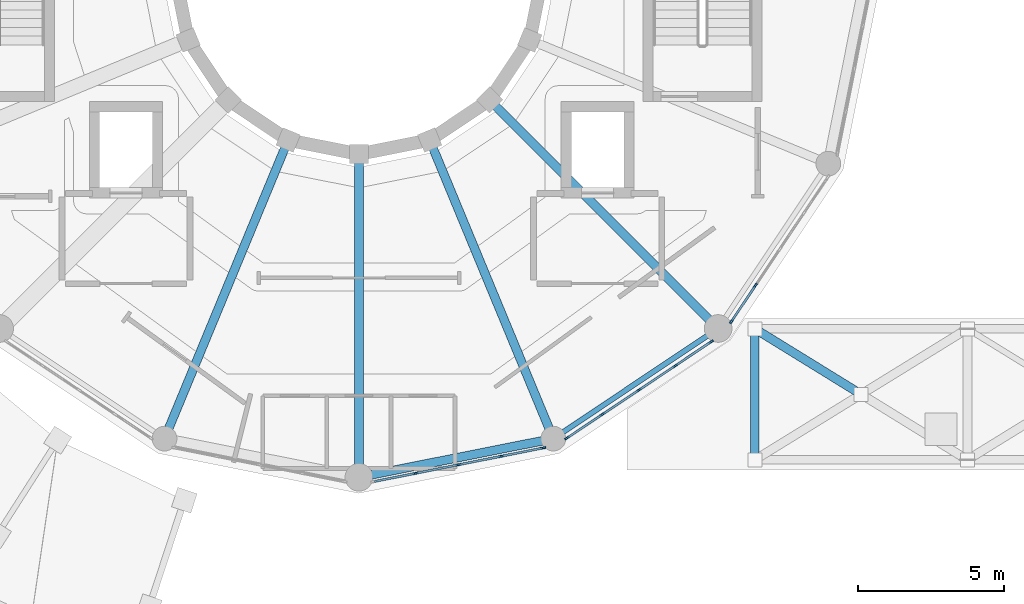
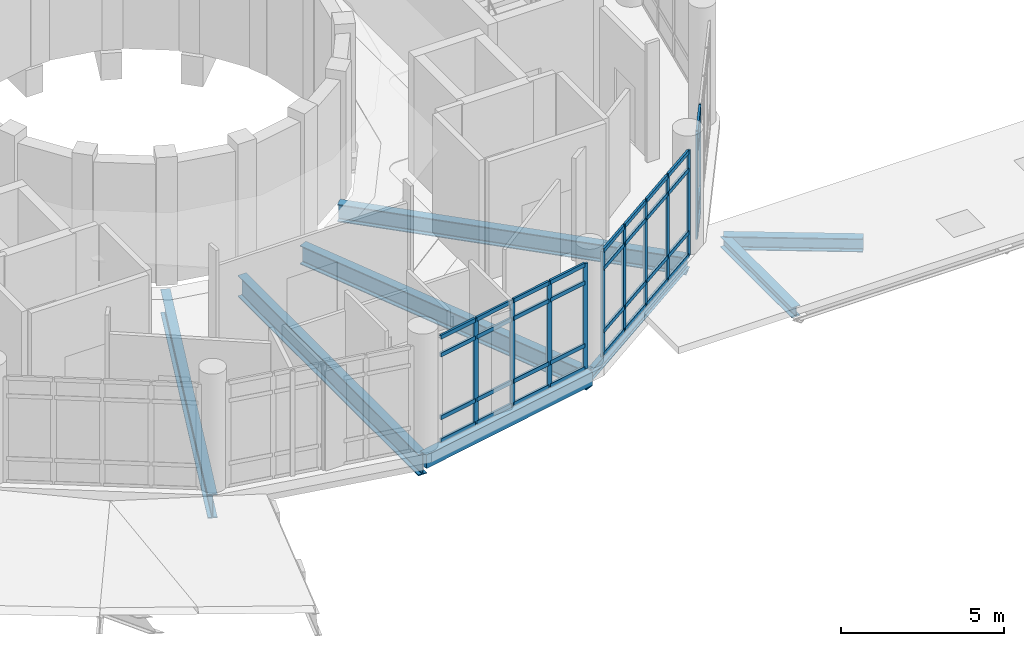
# One storey, part 9 of 75: 48 members, 7 beams, 3 elements without a shape of their own.
"""IFC4 building model written with IfcOpenShell, lengths in metres."""

import ifcopenshell
import ifcopenshell.guid

model = None  # the IFC model being written
_history = None  # IfcOwnerHistory: only IFC2X3 demands one
_inside = {}  # id of a spatial element -> (the spatial element, [elements in it])
_under = {}  # id of a project, library or spatial element -> (it, [spatial elements below it])
_declared = {}  # id of a project -> (the project, [libraries it declares])
_typed = {}  # id of a type object -> (the type object, [elements of that type])
_made_of = {}  # id of a material, layer set ... -> (it, [elements and type objects made of it])


def new_model(schema):
    """Start an empty IFC model of exactly this schema.

    Asked for "IFC4X3", IfcOpenShell would pick the latest addendum, in which some entities
    have other attributes; the version numbers below select the first issue.
    IFC2X3 requires an IfcOwnerHistory on every rooted entity: one is made here for all.
    """
    global model, _history
    if schema == "IFC4X3":
        model = ifcopenshell.file(schema_version=(4, 3, 0, 0))
    else:
        model = ifcopenshell.file(schema=schema)
    _inside.clear()
    _under.clear()
    _declared.clear()
    _typed.clear()
    _made_of.clear()
    _history = None
    if model.schema == "IFC2X3":
        org = make("IfcOrganization", Name="unknown")
        user = make(
            "IfcPersonAndOrganization",
            ThePerson=make("IfcPerson", FamilyName="unknown"),
            TheOrganization=org,
        )
        app = make(
            "IfcApplication",
            ApplicationDeveloper=org,
            Version="unknown",
            ApplicationFullName="unknown",
            ApplicationIdentifier="unknown",
        )
        _history = make(
            "IfcOwnerHistory",
            OwningUser=user,
            OwningApplication=app,
            ChangeAction="ADDED",
            CreationDate=0,
        )
    return model


def make(cls, **values):
    """One entity of the class cls with the attributes given. An attribute that is None is left unset."""
    return model.create_entity(
        cls, **{name: value for name, value in values.items() if value is not None}
    )


def rooted(cls, **values):
    """An entity with a GlobalId (a new one), such as an element, a storey or a relation."""
    return make(cls, GlobalId=ifcopenshell.guid.new(), OwnerHistory=_history, **values)


def si_unit(unit_type, name, prefix=None):
    """IfcSIUnit, for example si_unit("LENGTHUNIT", "METRE", prefix="MILLI")."""
    return make("IfcSIUnit", UnitType=unit_type, Prefix=prefix, Name=name)


def assignment(units):
    """IfcUnitAssignment: the units of a project."""
    return None if units is None else make("IfcUnitAssignment", Units=units)


def point(xyz):
    """IfcCartesianPoint."""
    return None if xyz is None else make("IfcCartesianPoint", Coordinates=xyz)


def direction(xyz):
    """IfcDirection."""
    return None if xyz is None else make("IfcDirection", DirectionRatios=xyz)


def frame(location, z_axis=None, x_axis=None):
    """IfcAxis2Placement3D, a coordinate frame: its origin and axes. An axis left out is left unset."""
    return make(
        "IfcAxis2Placement3D",
        Location=point(location),
        Axis=direction(z_axis),
        RefDirection=direction(x_axis),
    )


def frame_2d(location, x_axis=None):
    """IfcAxis2Placement2D, a coordinate frame in the plane: its origin and x axis."""
    return make(
        "IfcAxis2Placement2D", Location=point(location), RefDirection=direction(x_axis)
    )


def origin():
    """The frame at (0, 0, 0) with its axes left unset."""
    return frame((0.0, 0.0, 0.0))


def origin_2d():
    """The frame at (0, 0) in the plane with its x axis left unset."""
    return frame_2d((0.0, 0.0))


def place(relative_to, where):
    """IfcLocalPlacement: puts the frame where relative to a parent placement (None: the world)."""
    return make(
        "IfcLocalPlacement", PlacementRelTo=relative_to, RelativePlacement=where
    )


def context(
    kind, dimensions, precision=None, world=None, true_north=None, identifier=None
):
    """IfcGeometricRepresentationContext, for example the 3D "Model" context."""
    return make(
        "IfcGeometricRepresentationContext",
        ContextIdentifier=identifier,
        ContextType=kind,
        CoordinateSpaceDimension=dimensions,
        Precision=precision,
        WorldCoordinateSystem=world,
        TrueNorth=true_north,
    )


def subcontext(parent, identifier, kind, view, scale=None):
    """IfcGeometricRepresentationSubContext, for example "Body" below "Model"."""
    return make(
        "IfcGeometricRepresentationSubContext",
        ContextIdentifier=identifier,
        ContextType=kind,
        ParentContext=parent,
        TargetScale=scale,
        TargetView=view,
    )


def project(units=None, contexts=None):
    """IfcProject with its units and contexts."""
    return rooted(
        "IfcProject",
        Name="project",
        RepresentationContexts=contexts,
        UnitsInContext=assignment(units),
    )


def spatial(cls, under=None, at=None, **own):
    """A site, building, storey or space (cls), placed at a placement, below another one or the project."""
    s = rooted(cls, ObjectPlacement=at, **own)
    if under is not None:
        _under.setdefault(under.id(), (under, []))[1].append(s)
    return s


def profile(cls, at=None, kind="AREA", **sizes):
    """A parametric profile (cls). Its sizes go by their IFC names, for example OverallWidth=200.0."""
    return make(cls, ProfileType=kind, Position=at, **sizes)


def rectangle(**sizes):
    """IfcRectangleProfileDef."""
    return profile("IfcRectangleProfileDef", **sizes)


def i_section(**sizes):
    """IfcIShapeProfileDef."""
    return profile("IfcIShapeProfileDef", **sizes)


def extrude(swept, where, along, depth):
    """IfcExtrudedAreaSolid: the profile swept, set in the frame where, extruded along a direction by depth."""
    return make(
        "IfcExtrudedAreaSolid",
        SweptArea=swept,
        Position=where,
        ExtrudedDirection=direction(along),
        Depth=depth,
    )


def shape(context_of_items, identifier, shape_type, items):
    """IfcShapeRepresentation: the items that make up one representation, for example the "Body"."""
    return make(
        "IfcShapeRepresentation",
        ContextOfItems=context_of_items,
        RepresentationIdentifier=identifier,
        RepresentationType=shape_type,
        Items=items,
    )


def material(Name=None, Category=None):
    """IfcMaterial."""
    return make("IfcMaterial", Name=Name, Category=Category)


def material_profile(
    of_material, cross_section, Name=None, Category=None, Priority=None
):
    """IfcMaterialProfile: a cross section and its material."""
    return make(
        "IfcMaterialProfile",
        Name=Name,
        Material=of_material,
        Profile=cross_section,
        Priority=Priority,
        Category=Category,
    )


def profile_set(profiles, Name=None, composite=None):
    """IfcMaterialProfileSet."""
    return make(
        "IfcMaterialProfileSet",
        Name=Name,
        MaterialProfiles=profiles,
        CompositeProfile=composite,
    )


def made_of(thing, what):
    """Note that an element or type object is made of a material, layer set ...; save() writes the relation."""
    if what is not None:
        _made_of.setdefault(what.id(), (what, []))[1].append(thing)
    return thing


def type_object(cls, material=None, **own):
    """A type object (cls), such as IfcWallType, which elements share."""
    return made_of(rooted(cls, **own), material)


def element(
    cls,
    number,
    at=None,
    inside=None,
    cuts=None,
    type_object=None,
    material=None,
    context=None,
    identifier="Body",
    shape_type=None,
    held_by="IfcProductDefinitionShape",
    body=None,
    shapes=None,
    **own,
):
    """One element of the class cls, such as IfcWall. Its Tag is "e" and its number.

    at: its placement. inside: the storey or other place that contains it. cuts: it is an
    opening in that element (IfcRelVoidsElement). A single representation is given by context,
    identifier, shape_type and body (its items); several are given by shapes. held_by: the class
    of the entity that holds the representations. save() writes the other relations.
    """
    e = rooted(cls, Tag="e%d" % number, ObjectPlacement=at, **own)
    if body is not None:
        shapes = [shape(context, identifier, shape_type, body)]
    if shapes is not None:
        e.Representation = make(held_by, Representations=shapes)
    if inside is not None:
        _inside.setdefault(inside.id(), (inside, []))[1].append(e)
    if cuts is not None:
        rooted(
            "IfcRelVoidsElement", RelatingBuildingElement=cuts, RelatedOpeningElement=e
        )
    if type_object is not None:
        _typed.setdefault(type_object.id(), (type_object, []))[1].append(e)
    return made_of(e, material)


def aggregate(whole, parts):
    """IfcRelAggregates: a whole, such as a stair, and the parts it consists of."""
    return rooted("IfcRelAggregates", RelatingObject=whole, RelatedObjects=parts)


def save(model, path):
    """Write the relations noted so far, then the file.

    IfcRelAggregates (storeys below a building ...), IfcRelContainedInSpatialStructure (elements
    in a storey), IfcRelDefinesByType, IfcRelAssociatesMaterial and IfcRelDeclares: one each for
    every whole, place, type object, material and project.
    """
    for whole, parts in _under.values():
        aggregate(whole, parts)
    for where, things in _inside.values():
        rooted(
            "IfcRelContainedInSpatialStructure",
            RelatedElements=things,
            RelatingStructure=where,
        )
    for kind, things in _typed.values():
        rooted("IfcRelDefinesByType", RelatedObjects=things, RelatingType=kind)
    for what, things in _made_of.values():
        rooted("IfcRelAssociatesMaterial", RelatedObjects=things, RelatingMaterial=what)
    for by, libraries in _declared.values():
        rooted("IfcRelDeclares", RelatingContext=by, RelatedDefinitions=libraries)
    model.write(path)


model = new_model("IFC4")

# Units and contexts
model_context = context("Model", 3, precision=1e-05, world=origin(), true_north=direction((0.0, 1.0)))
body_context = subcontext(model_context, "Body", "Model", "MODEL_VIEW")
ifc_project = project(units=[si_unit("LENGTHUNIT", "METRE"), si_unit("AREAUNIT", "SQUARE_METRE"), si_unit("VOLUMEUNIT", "CUBIC_METRE"), si_unit("PLANEANGLEUNIT", "RADIAN"), si_unit("MASSUNIT", "GRAM", prefix="KILO")], contexts=[model_context])

# Site, building, storey
site_placement = place(None, origin())
site = spatial("IfcSite", under=ifc_project, at=site_placement, CompositionType="ELEMENT")
building_placement = place(site_placement, origin())
building = spatial("IfcBuilding", under=site, at=building_placement, Name="Soyqirgoq Riverine Aquarium", CompositionType="ELEMENT")
storey_placement = place(building_placement, frame((0.0, 0.0, 10.199951171875)))
storey = spatial("IfcBuildingStorey", under=building, at=storey_placement, Name="L03", CompositionType="ELEMENT", Elevation=10.199951171875)

# Curtain wall, members
ifc_material_1 = material(Name="Anodised aluminium thermally broken triple low-E glazing", Category="aluminium")
curtain_wall_type = type_object("IfcCurtainWallType", Name="CW_DrumGallery_Unitised", PredefinedType="NOTDEFINED", material=ifc_material_1)
curtain_wall_1_placement = place(storey_placement, origin())
curtain_wall_1 = element("IfcCurtainWall", 1, at=curtain_wall_1_placement, inside=storey, type_object=curtain_wall_type, Name="V1 L03 Curtain Wall 057", PredefinedType="NOTDEFINED")
ifc_material_2 = material(Name="Anodised aluminium 6063-T6", Category="aluminium")
ifc_material_profile_1 = material_profile(ifc_material_2, rectangle(XDim=0.06494140625, YDim=0.179931640625, at=origin_2d()), Name="ALU-M 65x180")
ifc_profile_set_1 = profile_set([ifc_material_profile_1], Name="Anodised aluminium 6063-T6")
member_type_1 = type_object("IfcMemberType", Name="CWMullion_65x180", PredefinedType="MULLION", material=ifc_profile_set_1)
member_1_placement = place(storey_placement, frame((57.942138671875, 39.686279296875, 0.0), z_axis=(0.0, 0.0, 1.0), x_axis=(-0.195094927919, 0.980784364221, 0.0)))
member_1 = element("IfcMember", 2, at=member_1_placement, type_object=member_type_1, Name="CW-01 mullion 2", PredefinedType="MULLION", context=body_context, shape_type="SweptSolid", body=[
    extrude(rectangle(XDim=0.06494140625, YDim=0.179931640625, at=origin_2d()), origin(), (0.0, 0.0, 1.0), 3.949951171875),
])
member_2_placement = place(storey_placement, frame((59.415283203125, 39.979248046875, 0.0), z_axis=(0.0, 0.0, 1.0), x_axis=(-0.195094927919, 0.980784364221, 0.0)))
member_2 = element("IfcMember", 3, at=member_2_placement, type_object=member_type_1, Name="CW-01 mullion 3", PredefinedType="MULLION", context=body_context, shape_type="SweptSolid", body=[
    extrude(rectangle(XDim=0.06494140625, YDim=0.179931640625, at=origin_2d()), origin(), (0.0, 0.0, 1.0), 3.949951171875),
])
member_3_placement = place(storey_placement, frame((60.888427734375, 40.2724609375, 0.0), z_axis=(0.0, 0.0, 1.0), x_axis=(-0.195094927919, 0.980784364221, 0.0)))
member_3 = element("IfcMember", 4, at=member_3_placement, type_object=member_type_1, Name="CW-01 mullion 4", PredefinedType="MULLION", context=body_context, shape_type="SweptSolid", body=[
    extrude(rectangle(XDim=0.06494140625, YDim=0.179931640625, at=origin_2d()), origin(), (0.0, 0.0, 1.0), 3.949951171875),
])
member_4_placement = place(storey_placement, frame((62.32958984375, 40.55908203125, 0.0), z_axis=(0.0, 0.0, 1.0), x_axis=(-0.195094927919, 0.980784364221, 0.0)))
member_4 = element("IfcMember", 5, at=member_4_placement, type_object=member_type_1, Name="CW-01 mullion 5", PredefinedType="MULLION", context=body_context, shape_type="SweptSolid", body=[
    extrude(rectangle(XDim=0.06494140625, YDim=0.179931640625, at=origin_2d()), origin(), (0.0, 0.0, 1.0), 3.949951171875),
])

curtain_wall_2_placement = place(storey_placement, origin())
curtain_wall_2 = element("IfcCurtainWall", 6, at=curtain_wall_2_placement, inside=storey, type_object=curtain_wall_type, Name="V1 L03 Curtain Wall 062", PredefinedType="NOTDEFINED")
member_5_placement = place(storey_placement, frame((63.149658203125, 40.898681640625, 0.0), z_axis=(0.0, 0.0, 1.0), x_axis=(-0.555571799605, 0.831468565541, 0.0)))
member_5 = element("IfcMember", 7, at=member_5_placement, type_object=member_type_1, Name="CW-01 mullion 1", PredefinedType="MULLION", context=body_context, shape_type="SweptSolid", body=[
    extrude(rectangle(XDim=0.06494140625, YDim=0.179931640625, at=origin_2d()), origin(), (0.0, 0.0, 1.0), 3.949951171875),
])
member_6_placement = place(storey_placement, frame((64.37158203125, 41.715087890625, 0.0), z_axis=(0.0, 0.0, 1.0), x_axis=(-0.555571799605, 0.831468565541, 0.0)))
member_6 = element("IfcMember", 8, at=member_6_placement, type_object=member_type_1, Name="CW-01 mullion 2", PredefinedType="MULLION", context=body_context, shape_type="SweptSolid", body=[
    extrude(rectangle(XDim=0.06494140625, YDim=0.179931640625, at=origin_2d()), origin(), (0.0, 0.0, 1.0), 3.949951171875),
])
member_7_placement = place(storey_placement, frame((65.620361328125, 42.549560546875, 0.0), z_axis=(0.0, 0.0, 1.0), x_axis=(-0.555571799605, 0.831468565541, 0.0)))
member_7 = element("IfcMember", 9, at=member_7_placement, type_object=member_type_1, Name="CW-01 mullion 3", PredefinedType="MULLION", context=body_context, shape_type="SweptSolid", body=[
    extrude(rectangle(XDim=0.06494140625, YDim=0.179931640625, at=origin_2d()), origin(), (0.0, 0.0, 1.0), 3.949951171875),
])
member_8_placement = place(storey_placement, frame((66.869384765625, 43.384033203125, 0.0), z_axis=(0.0, 0.0, 1.0), x_axis=(-0.555571799605, 0.831468565541, 0.0)))
member_8 = element("IfcMember", 10, at=member_8_placement, type_object=member_type_1, Name="CW-01 mullion 4", PredefinedType="MULLION", context=body_context, shape_type="SweptSolid", body=[
    extrude(rectangle(XDim=0.06494140625, YDim=0.179931640625, at=origin_2d()), origin(), (0.0, 0.0, 1.0), 3.949951171875),
])
member_9_placement = place(storey_placement, frame((68.091064453125, 44.200439453125, 0.0), z_axis=(0.0, 0.0, 1.0), x_axis=(-0.555571799605, 0.831468565541, 0.0)))
member_9 = element("IfcMember", 11, at=member_9_placement, type_object=member_type_1, Name="CW-01 mullion 5", PredefinedType="MULLION", context=body_context, shape_type="SweptSolid", body=[
    extrude(rectangle(XDim=0.06494140625, YDim=0.179931640625, at=origin_2d()), origin(), (0.0, 0.0, 1.0), 3.949951171875),
])

curtain_wall_3_placement = place(storey_placement, origin())
curtain_wall_3 = element("IfcCurtainWall", 12, at=curtain_wall_3_placement, inside=storey, type_object=curtain_wall_type, Name="V1 L03 Curtain Wall 067", PredefinedType="NOTDEFINED")
member_10_placement = place(storey_placement, frame((68.799560546875, 44.908935546875, 0.0), z_axis=(0.0, 0.0, 1.0), x_axis=(-0.831468565541, 0.555571799605, 0.0)))
member_10 = element("IfcMember", 13, at=member_10_placement, type_object=member_type_1, Name="CW-01 mullion 1", PredefinedType="MULLION", context=body_context, shape_type="SweptSolid", body=[
    extrude(rectangle(XDim=0.06494140625, YDim=0.179931640625, at=origin_2d()), origin(), (0.0, 0.0, 1.0), 3.949951171875),
])
member_11_placement = place(storey_placement, frame((69.615966796875, 46.130615234375, 0.0), z_axis=(0.0, 0.0, 1.0), x_axis=(-0.831468565541, 0.555571799605, 0.0)))
member_11 = element("IfcMember", 14, at=member_11_placement, type_object=member_type_1, Name="CW-01 mullion 2", PredefinedType="MULLION", context=body_context, shape_type="SweptSolid", body=[
    extrude(rectangle(XDim=0.06494140625, YDim=0.179931640625, at=origin_2d()), origin(), (0.0, 0.0, 1.0), 3.949951171875),
])

# Member
ifc_material_3 = material(Name="Anodised aluminium 6063-T6", Category="aluminium")
ifc_material_profile_2 = material_profile(ifc_material_3, rectangle(XDim=0.074951171875, YDim=0.14990234375, at=origin_2d()), Name="ALU-T 75x150")
ifc_profile_set_2 = profile_set([ifc_material_profile_2], Name="Anodised aluminium 6063-T6")
member_type_2 = type_object("IfcMemberType", Name="CWTransom_75x150", PredefinedType="USERDEFINED", material=ifc_profile_set_2)
member_12_placement = place(storey_placement, frame((56.532958984375, 39.406005859375, 0.03759765625), z_axis=(0.980794046625, 0.195046246068, 0.0), x_axis=(-0.195046246068, 0.980794046625, 0.0)))
member_12 = element("IfcMember", 15, at=member_12_placement, type_object=member_type_2, Name="CW-01 transom 1.1", ObjectType="TRANSOM", PredefinedType="USERDEFINED", context=body_context, shape_type="SweptSolid", body=[
    extrude(rectangle(XDim=0.074951171875, YDim=0.14990234375, at=origin_2d()), origin(), (0.0, 0.0, 1.0), 1.404296875),
])

member_13_placement = place(storey_placement, frame((56.532958984375, 39.406005859375, 0.900146484375), z_axis=(0.980794046625, 0.195046246068, 0.0), x_axis=(-0.195046246068, 0.980794046625, 0.0)))
member_13 = element("IfcMember", 16, at=member_13_placement, type_object=member_type_2, Name="CW-01 transom 1.2", ObjectType="TRANSOM", PredefinedType="USERDEFINED", context=body_context, shape_type="SweptSolid", body=[
    extrude(rectangle(XDim=0.074951171875, YDim=0.14990234375, at=origin_2d()), origin(), (0.0, 0.0, 1.0), 1.404296875),
])

member_14_placement = place(storey_placement, frame((56.532958984375, 39.406005859375, 3.25), z_axis=(0.980794046625, 0.195046246068, 0.0), x_axis=(-0.195046246068, 0.980794046625, 0.0)))
member_14 = element("IfcMember", 17, at=member_14_placement, type_object=member_type_2, Name="CW-01 transom 1.3", ObjectType="TRANSOM", PredefinedType="USERDEFINED", context=body_context, shape_type="SweptSolid", body=[
    extrude(rectangle(XDim=0.074951171875, YDim=0.14990234375, at=origin_2d()), origin(), (0.0, 0.0, 1.0), 1.404296875),
])

member_15_placement = place(storey_placement, frame((56.532958984375, 39.406005859375, 3.91259765625), z_axis=(0.980794046625, 0.195046246068, 0.0), x_axis=(-0.195046246068, 0.980794046625, 0.0)))
member_15 = element("IfcMember", 18, at=member_15_placement, type_object=member_type_2, Name="CW-01 transom 1.4", ObjectType="TRANSOM", PredefinedType="USERDEFINED", context=body_context, shape_type="SweptSolid", body=[
    extrude(rectangle(XDim=0.074951171875, YDim=0.14990234375, at=origin_2d()), origin(), (0.0, 0.0, 1.0), 1.404296875),
])

member_16_placement = place(storey_placement, frame((57.97412109375, 39.692626953125, 0.03759765625), z_axis=(0.980795717131, 0.195037845707, 0.0), x_axis=(-0.195037845707, 0.980795717131, 0.0)))
member_16 = element("IfcMember", 19, at=member_16_placement, type_object=member_type_2, Name="CW-01 transom 2.1", ObjectType="TRANSOM", PredefinedType="USERDEFINED", context=body_context, shape_type="SweptSolid", body=[
    extrude(rectangle(XDim=0.074951171875, YDim=0.14990234375, at=origin_2d()), origin(), (0.0, 0.0, 1.0), 1.43701171875),
])

member_17_placement = place(storey_placement, frame((57.97412109375, 39.692626953125, 0.900146484375), z_axis=(0.980795717131, 0.195037845707, 0.0), x_axis=(-0.195037845707, 0.980795717131, 0.0)))
member_17 = element("IfcMember", 20, at=member_17_placement, type_object=member_type_2, Name="CW-01 transom 2.2", ObjectType="TRANSOM", PredefinedType="USERDEFINED", context=body_context, shape_type="SweptSolid", body=[
    extrude(rectangle(XDim=0.074951171875, YDim=0.14990234375, at=origin_2d()), origin(), (0.0, 0.0, 1.0), 1.43701171875),
])

member_18_placement = place(storey_placement, frame((57.97412109375, 39.692626953125, 3.25), z_axis=(0.980795717131, 0.195037845707, 0.0), x_axis=(-0.195037845707, 0.980795717131, 0.0)))
member_18 = element("IfcMember", 21, at=member_18_placement, type_object=member_type_2, Name="CW-01 transom 2.3", ObjectType="TRANSOM", PredefinedType="USERDEFINED", context=body_context, shape_type="SweptSolid", body=[
    extrude(rectangle(XDim=0.074951171875, YDim=0.14990234375, at=origin_2d()), origin(), (0.0, 0.0, 1.0), 1.43701171875),
])

member_19_placement = place(storey_placement, frame((57.97412109375, 39.692626953125, 3.91259765625), z_axis=(0.980795717131, 0.195037845707, 0.0), x_axis=(-0.195037845707, 0.980795717131, 0.0)))
member_19 = element("IfcMember", 22, at=member_19_placement, type_object=member_type_2, Name="CW-01 transom 2.4", ObjectType="TRANSOM", PredefinedType="USERDEFINED", context=body_context, shape_type="SweptSolid", body=[
    extrude(rectangle(XDim=0.074951171875, YDim=0.14990234375, at=origin_2d()), origin(), (0.0, 0.0, 1.0), 1.43701171875),
])

member_20_placement = place(storey_placement, frame((59.447265625, 39.985595703125, 0.03759765625), z_axis=(0.980756730309, 0.195233798185, 0.0), x_axis=(-0.195233798185, 0.980756730309, 0.0)))
member_20 = element("IfcMember", 23, at=member_20_placement, type_object=member_type_2, Name="CW-01 transom 3.1", ObjectType="TRANSOM", PredefinedType="USERDEFINED", context=body_context, shape_type="SweptSolid", body=[
    extrude(rectangle(XDim=0.074951171875, YDim=0.14990234375, at=origin_2d()), origin(), (0.0, 0.0, 1.0), 1.436767578125),
])

member_21_placement = place(storey_placement, frame((59.447265625, 39.985595703125, 0.900146484375), z_axis=(0.980756730309, 0.195233798185, 0.0), x_axis=(-0.195233798185, 0.980756730309, 0.0)))
member_21 = element("IfcMember", 24, at=member_21_placement, type_object=member_type_2, Name="CW-01 transom 3.2", ObjectType="TRANSOM", PredefinedType="USERDEFINED", context=body_context, shape_type="SweptSolid", body=[
    extrude(rectangle(XDim=0.074951171875, YDim=0.14990234375, at=origin_2d()), origin(), (0.0, 0.0, 1.0), 1.436767578125),
])

member_22_placement = place(storey_placement, frame((59.447265625, 39.985595703125, 3.25), z_axis=(0.980756730309, 0.195233798185, 0.0), x_axis=(-0.195233798185, 0.980756730309, 0.0)))
member_22 = element("IfcMember", 25, at=member_22_placement, type_object=member_type_2, Name="CW-01 transom 3.3", ObjectType="TRANSOM", PredefinedType="USERDEFINED", context=body_context, shape_type="SweptSolid", body=[
    extrude(rectangle(XDim=0.074951171875, YDim=0.14990234375, at=origin_2d()), origin(), (0.0, 0.0, 1.0), 1.436767578125),
])

member_23_placement = place(storey_placement, frame((59.447265625, 39.985595703125, 3.91259765625), z_axis=(0.980756730309, 0.195233798185, 0.0), x_axis=(-0.195233798185, 0.980756730309, 0.0)))
member_23 = element("IfcMember", 26, at=member_23_placement, type_object=member_type_2, Name="CW-01 transom 3.4", ObjectType="TRANSOM", PredefinedType="USERDEFINED", context=body_context, shape_type="SweptSolid", body=[
    extrude(rectangle(XDim=0.074951171875, YDim=0.14990234375, at=origin_2d()), origin(), (0.0, 0.0, 1.0), 1.436767578125),
])

member_24_placement = place(storey_placement, frame((60.920166015625, 40.27880859375, 0.03759765625), z_axis=(0.98080065826, 0.195012996379, 0.0), x_axis=(-0.195012996379, 0.98080065826, 0.0)))
member_24 = element("IfcMember", 27, at=member_24_placement, type_object=member_type_2, Name="CW-01 transom 4.1", ObjectType="TRANSOM", PredefinedType="USERDEFINED", context=body_context, shape_type="SweptSolid", body=[
    extrude(rectangle(XDim=0.074951171875, YDim=0.14990234375, at=origin_2d()), origin(), (0.0, 0.0, 1.0), 1.404541015625),
])

member_25_placement = place(storey_placement, frame((60.920166015625, 40.27880859375, 0.900146484375), z_axis=(0.98080065826, 0.195012996379, 0.0), x_axis=(-0.195012996379, 0.98080065826, 0.0)))
member_25 = element("IfcMember", 28, at=member_25_placement, type_object=member_type_2, Name="CW-01 transom 4.2", ObjectType="TRANSOM", PredefinedType="USERDEFINED", context=body_context, shape_type="SweptSolid", body=[
    extrude(rectangle(XDim=0.074951171875, YDim=0.14990234375, at=origin_2d()), origin(), (0.0, 0.0, 1.0), 1.404541015625),
])

member_26_placement = place(storey_placement, frame((60.920166015625, 40.27880859375, 3.25), z_axis=(0.98080065826, 0.195012996379, 0.0), x_axis=(-0.195012996379, 0.98080065826, 0.0)))
member_26 = element("IfcMember", 29, at=member_26_placement, type_object=member_type_2, Name="CW-01 transom 4.3", ObjectType="TRANSOM", PredefinedType="USERDEFINED", context=body_context, shape_type="SweptSolid", body=[
    extrude(rectangle(XDim=0.074951171875, YDim=0.14990234375, at=origin_2d()), origin(), (0.0, 0.0, 1.0), 1.404541015625),
])

member_27_placement = place(storey_placement, frame((60.920166015625, 40.27880859375, 3.91259765625), z_axis=(0.98080065826, 0.195012996379, 0.0), x_axis=(-0.195012996379, 0.98080065826, 0.0)))
member_27 = element("IfcMember", 30, at=member_27_placement, type_object=member_type_2, Name="CW-01 transom 4.4", ObjectType="TRANSOM", PredefinedType="USERDEFINED", context=body_context, shape_type="SweptSolid", body=[
    extrude(rectangle(XDim=0.074951171875, YDim=0.14990234375, at=origin_2d()), origin(), (0.0, 0.0, 1.0), 1.404541015625),
])

aggregate(curtain_wall_1, [member_1, member_2, member_3, member_4, member_12, member_13, member_14, member_15, member_16, member_17, member_18, member_19, member_20, member_21, member_22, member_23, member_24, member_25, member_26, member_27])

member_28_placement = place(storey_placement, frame((63.1767578125, 40.916748046875, 0.03759765625), z_axis=(0.831461455537, 0.555582440288, 0.0), x_axis=(-0.555582440288, 0.831461455537, 0.0)))
member_28 = element("IfcMember", 31, at=member_28_placement, type_object=member_type_2, Name="CW-01 transom 1.1", ObjectType="TRANSOM", PredefinedType="USERDEFINED", context=body_context, shape_type="SweptSolid", body=[
    extrude(rectangle(XDim=0.074951171875, YDim=0.14990234375, at=origin_2d()), origin(), (0.0, 0.0, 1.0), 1.404541015625),
])

member_29_placement = place(storey_placement, frame((63.1767578125, 40.916748046875, 0.900146484375), z_axis=(0.831461455537, 0.555582440288, 0.0), x_axis=(-0.555582440288, 0.831461455537, 0.0)))
member_29 = element("IfcMember", 32, at=member_29_placement, type_object=member_type_2, Name="CW-01 transom 1.2", ObjectType="TRANSOM", PredefinedType="USERDEFINED", context=body_context, shape_type="SweptSolid", body=[
    extrude(rectangle(XDim=0.074951171875, YDim=0.14990234375, at=origin_2d()), origin(), (0.0, 0.0, 1.0), 1.404541015625),
])

member_30_placement = place(storey_placement, frame((63.1767578125, 40.916748046875, 3.25), z_axis=(0.831461455537, 0.555582440288, 0.0), x_axis=(-0.555582440288, 0.831461455537, 0.0)))
member_30 = element("IfcMember", 33, at=member_30_placement, type_object=member_type_2, Name="CW-01 transom 1.3", ObjectType="TRANSOM", PredefinedType="USERDEFINED", context=body_context, shape_type="SweptSolid", body=[
    extrude(rectangle(XDim=0.074951171875, YDim=0.14990234375, at=origin_2d()), origin(), (0.0, 0.0, 1.0), 1.404541015625),
])

member_31_placement = place(storey_placement, frame((63.1767578125, 40.916748046875, 3.91259765625), z_axis=(0.831461455537, 0.555582440288, 0.0), x_axis=(-0.555582440288, 0.831461455537, 0.0)))
member_31 = element("IfcMember", 34, at=member_31_placement, type_object=member_type_2, Name="CW-01 transom 1.4", ObjectType="TRANSOM", PredefinedType="USERDEFINED", context=body_context, shape_type="SweptSolid", body=[
    extrude(rectangle(XDim=0.074951171875, YDim=0.14990234375, at=origin_2d()), origin(), (0.0, 0.0, 1.0), 1.404541015625),
])

member_32_placement = place(storey_placement, frame((64.398681640625, 41.733154296875, 0.03759765625), z_axis=(0.831474812016, 0.55556245102, 0.0), x_axis=(-0.55556245102, 0.831474812016, 0.0)))
member_32 = element("IfcMember", 35, at=member_32_placement, type_object=member_type_2, Name="CW-01 transom 2.1", ObjectType="TRANSOM", PredefinedType="USERDEFINED", context=body_context, shape_type="SweptSolid", body=[
    extrude(rectangle(XDim=0.074951171875, YDim=0.14990234375, at=origin_2d()), origin(), (0.0, 0.0, 1.0), 1.43701171875),
])

member_33_placement = place(storey_placement, frame((64.398681640625, 41.733154296875, 0.900146484375), z_axis=(0.831474812016, 0.55556245102, 0.0), x_axis=(-0.55556245102, 0.831474812016, 0.0)))
member_33 = element("IfcMember", 36, at=member_33_placement, type_object=member_type_2, Name="CW-01 transom 2.2", ObjectType="TRANSOM", PredefinedType="USERDEFINED", context=body_context, shape_type="SweptSolid", body=[
    extrude(rectangle(XDim=0.074951171875, YDim=0.14990234375, at=origin_2d()), origin(), (0.0, 0.0, 1.0), 1.43701171875),
])

member_34_placement = place(storey_placement, frame((64.398681640625, 41.733154296875, 3.25), z_axis=(0.831474812016, 0.55556245102, 0.0), x_axis=(-0.55556245102, 0.831474812016, 0.0)))
member_34 = element("IfcMember", 37, at=member_34_placement, type_object=member_type_2, Name="CW-01 transom 2.3", ObjectType="TRANSOM", PredefinedType="USERDEFINED", context=body_context, shape_type="SweptSolid", body=[
    extrude(rectangle(XDim=0.074951171875, YDim=0.14990234375, at=origin_2d()), origin(), (0.0, 0.0, 1.0), 1.43701171875),
])

member_35_placement = place(storey_placement, frame((64.398681640625, 41.733154296875, 3.91259765625), z_axis=(0.831474812016, 0.55556245102, 0.0), x_axis=(-0.55556245102, 0.831474812016, 0.0)))
member_35 = element("IfcMember", 38, at=member_35_placement, type_object=member_type_2, Name="CW-01 transom 2.4", ObjectType="TRANSOM", PredefinedType="USERDEFINED", context=body_context, shape_type="SweptSolid", body=[
    extrude(rectangle(XDim=0.074951171875, YDim=0.14990234375, at=origin_2d()), origin(), (0.0, 0.0, 1.0), 1.43701171875),
])

member_36_placement = place(storey_placement, frame((65.6474609375, 42.567626953125, 0.03759765625), z_axis=(0.831474812016, 0.55556245102, 0.0), x_axis=(-0.55556245102, 0.831474812016, 0.0)))
member_36 = element("IfcMember", 39, at=member_36_placement, type_object=member_type_2, Name="CW-01 transom 3.1", ObjectType="TRANSOM", PredefinedType="USERDEFINED", context=body_context, shape_type="SweptSolid", body=[
    extrude(rectangle(XDim=0.074951171875, YDim=0.14990234375, at=origin_2d()), origin(), (0.0, 0.0, 1.0), 1.43701171875),
])

member_37_placement = place(storey_placement, frame((65.6474609375, 42.567626953125, 0.900146484375), z_axis=(0.831474812016, 0.55556245102, 0.0), x_axis=(-0.55556245102, 0.831474812016, 0.0)))
member_37 = element("IfcMember", 40, at=member_37_placement, type_object=member_type_2, Name="CW-01 transom 3.2", ObjectType="TRANSOM", PredefinedType="USERDEFINED", context=body_context, shape_type="SweptSolid", body=[
    extrude(rectangle(XDim=0.074951171875, YDim=0.14990234375, at=origin_2d()), origin(), (0.0, 0.0, 1.0), 1.43701171875),
])

member_38_placement = place(storey_placement, frame((65.6474609375, 42.567626953125, 3.25), z_axis=(0.831474812016, 0.55556245102, 0.0), x_axis=(-0.55556245102, 0.831474812016, 0.0)))
member_38 = element("IfcMember", 41, at=member_38_placement, type_object=member_type_2, Name="CW-01 transom 3.3", ObjectType="TRANSOM", PredefinedType="USERDEFINED", context=body_context, shape_type="SweptSolid", body=[
    extrude(rectangle(XDim=0.074951171875, YDim=0.14990234375, at=origin_2d()), origin(), (0.0, 0.0, 1.0), 1.43701171875),
])

member_39_placement = place(storey_placement, frame((65.6474609375, 42.567626953125, 3.91259765625), z_axis=(0.831474812016, 0.55556245102, 0.0), x_axis=(-0.55556245102, 0.831474812016, 0.0)))
member_39 = element("IfcMember", 42, at=member_39_placement, type_object=member_type_2, Name="CW-01 transom 3.4", ObjectType="TRANSOM", PredefinedType="USERDEFINED", context=body_context, shape_type="SweptSolid", body=[
    extrude(rectangle(XDim=0.074951171875, YDim=0.14990234375, at=origin_2d()), origin(), (0.0, 0.0, 1.0), 1.43701171875),
])

member_40_placement = place(storey_placement, frame((66.896240234375, 43.402099609375, 0.03759765625), z_axis=(0.831515102434, 0.555502146192, 0.0), x_axis=(-0.555502146192, 0.831515102434, 0.0)))
member_40 = element("IfcMember", 43, at=member_40_placement, type_object=member_type_2, Name="CW-01 transom 4.1", ObjectType="TRANSOM", PredefinedType="USERDEFINED", context=body_context, shape_type="SweptSolid", body=[
    extrude(rectangle(XDim=0.074951171875, YDim=0.14990234375, at=origin_2d()), origin(), (0.0, 0.0, 1.0), 1.404541015625),
])

member_41_placement = place(storey_placement, frame((66.896240234375, 43.402099609375, 0.900146484375), z_axis=(0.831515102434, 0.555502146192, 0.0), x_axis=(-0.555502146192, 0.831515102434, 0.0)))
member_41 = element("IfcMember", 44, at=member_41_placement, type_object=member_type_2, Name="CW-01 transom 4.2", ObjectType="TRANSOM", PredefinedType="USERDEFINED", context=body_context, shape_type="SweptSolid", body=[
    extrude(rectangle(XDim=0.074951171875, YDim=0.14990234375, at=origin_2d()), origin(), (0.0, 0.0, 1.0), 1.404541015625),
])

member_42_placement = place(storey_placement, frame((66.896240234375, 43.402099609375, 3.25), z_axis=(0.831515102434, 0.555502146192, 0.0), x_axis=(-0.555502146192, 0.831515102434, 0.0)))
member_42 = element("IfcMember", 45, at=member_42_placement, type_object=member_type_2, Name="CW-01 transom 4.3", ObjectType="TRANSOM", PredefinedType="USERDEFINED", context=body_context, shape_type="SweptSolid", body=[
    extrude(rectangle(XDim=0.074951171875, YDim=0.14990234375, at=origin_2d()), origin(), (0.0, 0.0, 1.0), 1.404541015625),
])

member_43_placement = place(storey_placement, frame((66.896240234375, 43.402099609375, 3.91259765625), z_axis=(0.831515102434, 0.555502146192, 0.0), x_axis=(-0.555502146192, 0.831515102434, 0.0)))
member_43 = element("IfcMember", 46, at=member_43_placement, type_object=member_type_2, Name="CW-01 transom 4.4", ObjectType="TRANSOM", PredefinedType="USERDEFINED", context=body_context, shape_type="SweptSolid", body=[
    extrude(rectangle(XDim=0.074951171875, YDim=0.14990234375, at=origin_2d()), origin(), (0.0, 0.0, 1.0), 1.404541015625),
])

aggregate(curtain_wall_2, [member_5, member_6, member_7, member_8, member_9, member_28, member_29, member_30, member_31, member_32, member_33, member_34, member_35, member_36, member_37, member_38, member_39, member_40, member_41, member_42, member_43])

member_44_placement = place(storey_placement, frame((68.817626953125, 44.935791015625, 0.03759765625), z_axis=(0.555502146192, 0.831515102434, 0.0), x_axis=(-0.831515102434, 0.555502146192, 0.0)))
member_44 = element("IfcMember", 47, at=member_44_placement, type_object=member_type_2, Name="CW-01 transom 1.1", ObjectType="TRANSOM", PredefinedType="USERDEFINED", context=body_context, shape_type="SweptSolid", body=[
    extrude(rectangle(XDim=0.074951171875, YDim=0.14990234375, at=origin_2d()), origin(), (0.0, 0.0, 1.0), 1.404541015625),
])

member_45_placement = place(storey_placement, frame((68.817626953125, 44.935791015625, 0.900146484375), z_axis=(0.555502146192, 0.831515102434, 0.0), x_axis=(-0.831515102434, 0.555502146192, 0.0)))
member_45 = element("IfcMember", 48, at=member_45_placement, type_object=member_type_2, Name="CW-01 transom 1.2", ObjectType="TRANSOM", PredefinedType="USERDEFINED", context=body_context, shape_type="SweptSolid", body=[
    extrude(rectangle(XDim=0.074951171875, YDim=0.14990234375, at=origin_2d()), origin(), (0.0, 0.0, 1.0), 1.404541015625),
])

member_46_placement = place(storey_placement, frame((68.817626953125, 44.935791015625, 3.25), z_axis=(0.555502146192, 0.831515102434, 0.0), x_axis=(-0.831515102434, 0.555502146192, 0.0)))
member_46 = element("IfcMember", 49, at=member_46_placement, type_object=member_type_2, Name="CW-01 transom 1.3", ObjectType="TRANSOM", PredefinedType="USERDEFINED", context=body_context, shape_type="SweptSolid", body=[
    extrude(rectangle(XDim=0.074951171875, YDim=0.14990234375, at=origin_2d()), origin(), (0.0, 0.0, 1.0), 1.404541015625),
])

member_47_placement = place(storey_placement, frame((68.817626953125, 44.935791015625, 3.91259765625), z_axis=(0.555502146192, 0.831515102434, 0.0), x_axis=(-0.831515102434, 0.555502146192, 0.0)))
member_47 = element("IfcMember", 50, at=member_47_placement, type_object=member_type_2, Name="CW-01 transom 1.4", ObjectType="TRANSOM", PredefinedType="USERDEFINED", context=body_context, shape_type="SweptSolid", body=[
    extrude(rectangle(XDim=0.074951171875, YDim=0.14990234375, at=origin_2d()), origin(), (0.0, 0.0, 1.0), 1.404541015625),
])

aggregate(curtain_wall_3, [member_10, member_11, member_44, member_45, member_46, member_47])

ifc_material_4 = material(Name="Structural steel S355", Category="steel")
ifc_material_profile_3 = material_profile(ifc_material_4, i_section(OverallWidth=0.300048828125, OverallDepth=0.5, WebThickness=0.014404296875, FlangeThickness=0.028076171875, FilletRadius=0.027099609375, at=origin_2d()), Name="HEB 500")
ifc_profile_set_3 = profile_set([ifc_material_profile_3], Name="Structural steel S355")
member_type_3 = type_object("IfcMemberType", Name="FoldChord_HEB500", PredefinedType="CHORD", material=ifc_profile_set_3)
member_48_placement = place(storey_placement, frame((69.60009765625, 44.64990234375, -0.22998046875), z_axis=(0.851251416644, -0.524758063932, 0.0), x_axis=(0.524758063932, 0.851251416644, 0.0)))
element("IfcMember", 51, at=member_48_placement, inside=storey, type_object=member_type_3, Name="BR-1 Roof Diaphragm Split X-Brace 0002", PredefinedType="CHORD", context=body_context, shape_type="SweptSolid", body=[
    extrude(i_section(OverallWidth=0.300048828125, OverallDepth=0.5, WebThickness=0.014404296875, FlangeThickness=0.028076171875, FilletRadius=0.027099609375, at=origin_2d()), origin(), (0.0, 0.0, 1.0), 4.28759765625),
])

# Beams
ifc_material_5 = material(Name="Concrete C40/50", Category="concrete")
ifc_material_profile_4 = material_profile(ifc_material_5, rectangle(XDim=0.300048828125, YDim=0.5, at=origin_2d()), Name="RC 300x500")
ifc_profile_set_4 = profile_set([ifc_material_profile_4], Name="Concrete C40/50")
beam_type_1 = type_object("IfcBeamType", Name="Spandrel_RC_300x500", PredefinedType="SPANDREL", material=ifc_profile_set_4)
beam_1_placement = place(storey_placement, frame((56.01953125, 39.553955078125, -0.599853515625), z_axis=(0.980784073274, 0.195096390568, 0.0), x_axis=(-0.195096390568, 0.980784073274, 0.0)))
element("IfcBeam", 52, at=beam_1_placement, inside=storey, type_object=beam_type_1, Name="V1 L03 Drum Spandrel Beam 0081", PredefinedType="SPANDREL", context=body_context, shape_type="SweptSolid", body=[
    extrude(rectangle(XDim=0.300048828125, YDim=0.5, at=origin_2d()), origin(), (0.0, 0.0, 1.0), 6.768798828125),
])
ifc_material_6 = material(Name="Structural steel S355", Category="steel")
ifc_material_profile_5 = material_profile(ifc_material_6, i_section(OverallWidth=0.179931640625, OverallDepth=0.39990234375, WebThickness=0.008544921875, FlangeThickness=0.013427734375, FilletRadius=0.02099609375, at=origin_2d()), Name="IPE 400")
ifc_profile_set_5 = profile_set([ifc_material_profile_5], Name="Structural steel S355")
beam_type_2 = type_object("IfcBeamType", Name="Spandrel_Steel_IPE400", PredefinedType="SPANDREL", material=ifc_profile_set_5)
beam_2_placement = place(storey_placement, frame((62.6943359375, 40.889404296875, -0.550048828125), z_axis=(0.83147831173, 0.555557213186, 0.0), x_axis=(-0.555557213186, 0.83147831173, 0.0)))
element("IfcBeam", 53, at=beam_2_placement, inside=storey, type_object=beam_type_2, Name="V1 L03 Drum Spandrel Beam 0083", PredefinedType="SPANDREL", context=body_context, shape_type="SweptSolid", body=[
    extrude(i_section(OverallWidth=0.179931640625, OverallDepth=0.39990234375, WebThickness=0.008544921875, FlangeThickness=0.013427734375, FilletRadius=0.02099609375, at=origin_2d()), origin(), (0.0, 0.0, 1.0), 6.768798828125),
])
ifc_material_7 = material(Name="Structural steel S355", Category="steel")
ifc_material_profile_6 = material_profile(ifc_material_7, i_section(OverallWidth=0.300048828125, OverallDepth=0.389892578125, WebThickness=0.010986328125, FlangeThickness=0.01904296875, FilletRadius=0.027099609375, at=origin_2d()), Name="HEA 400")
ifc_profile_set_6 = profile_set([ifc_material_profile_6], Name="Structural steel S355")
beam_type_3 = type_object("IfcBeamType", Name="SteelBeam_HEA400", PredefinedType="BEAM", material=ifc_profile_set_6)
beam_3_placement = place(storey_placement, frame((69.60009765625, 40.199951171875, -0.195068359375), z_axis=(0.0, 1.0, 0.0), x_axis=(-1.0, 0.0, 0.0)))
element("IfcBeam", 54, at=beam_3_placement, inside=storey, type_object=beam_type_3, Name="BR-1 L03 Bridge Roof Cross Beam 1443", PredefinedType="BEAM", context=body_context, shape_type="SweptSolid", body=[
    extrude(i_section(OverallWidth=0.300048828125, OverallDepth=0.389892578125, WebThickness=0.010986328125, FlangeThickness=0.01904296875, FilletRadius=0.027099609375, at=origin_2d()), origin(), (0.0, 0.0, 1.0), 4.400146484375),
])
ifc_material_8 = material(Name="Structural steel S355", Category="steel")
ifc_material_profile_7 = material_profile(ifc_material_8, i_section(OverallWidth=0.300048828125, OverallDepth=0.64990234375, WebThickness=0.01611328125, FlangeThickness=0.031005859375, FilletRadius=0.027099609375, at=origin_2d()), Name="HEB 650")
ifc_profile_set_7 = profile_set([ifc_material_profile_7], Name="Structural steel S355")
beam_type_4 = type_object("IfcBeamType", Name="SteelGirder_HEB650", PredefinedType="BEAM", material=ifc_profile_set_7)
beam_4_placement = place(storey_placement, frame((60.497314453125, 52.502685546875, -0.675048828125), z_axis=(0.707106781187, -0.707106781187, 0.0), x_axis=(0.707106781187, 0.707106781187, 0.0)))
element("IfcBeam", 55, at=beam_4_placement, inside=storey, type_object=beam_type_4, Name="V1 L03 Gallery Radial Beam 0086", PredefinedType="BEAM", context=body_context, shape_type="SweptSolid", body=[
    extrude(i_section(OverallWidth=0.300048828125, OverallDepth=0.64990234375, WebThickness=0.01611328125, FlangeThickness=0.031005859375, FilletRadius=0.027099609375, at=origin_2d()), origin(), (0.0, 0.0, 1.0), 11.07958984375),
])
ifc_material_9 = material(Name="Structural steel S355", Category="steel")
ifc_material_profile_8 = material_profile(ifc_material_9, i_section(OverallWidth=0.300048828125, OverallDepth=0.699951171875, WebThickness=0.01708984375, FlangeThickness=0.031982421875, FilletRadius=0.027099609375, at=origin_2d()), Name="HEB 700")
ifc_profile_set_8 = profile_set([ifc_material_profile_8], Name="Structural steel S355")
beam_type_5 = type_object("IfcBeamType", Name="SteelGirder_HEB700", PredefinedType="BEAM", material=ifc_profile_set_8)
beam_5_placement = place(storey_placement, frame((58.433837890625, 51.124267578125, -0.699951171875), z_axis=(0.382683908742, -0.923879335189, 0.0), x_axis=(0.923879335189, 0.382683908742, 0.0)))
element("IfcBeam", 56, at=beam_5_placement, inside=storey, type_object=beam_type_5, Name="V1 L03 Gallery Radial Beam 0084", PredefinedType="BEAM", context=body_context, shape_type="SweptSolid", body=[
    extrude(i_section(OverallWidth=0.300048828125, OverallDepth=0.699951171875, WebThickness=0.01708984375, FlangeThickness=0.031982421875, FilletRadius=0.027099609375, at=origin_2d()), origin(), (0.0, 0.0, 1.0), 11.080322265625),
])
ifc_material_10 = material(Name="Structural steel S355", Category="steel")
ifc_material_profile_9 = material_profile(ifc_material_10, i_section(OverallWidth=0.300048828125, OverallDepth=0.800048828125, WebThickness=0.017578125, FlangeThickness=0.032958984375, FilletRadius=0.030029296875, at=origin_2d()), Name="HEB 800")
ifc_profile_set_9 = profile_set([ifc_material_profile_9], Name="Structural steel S355")
beam_type_6 = type_object("IfcBeamType", Name="SteelGirder_HEB800", PredefinedType="BEAM", material=ifc_profile_set_9)
beam_6_placement = place(storey_placement, frame((56.0, 50.639892578125, -0.75), z_axis=(0.0, -1.0, 0.0), x_axis=(1.0, 0.0, 0.0)))
element("IfcBeam", 57, at=beam_6_placement, inside=storey, type_object=beam_type_6, Name="V1 L03 Gallery Radial Beam 0082", PredefinedType="BEAM", context=body_context, shape_type="SweptSolid", body=[
    extrude(i_section(OverallWidth=0.300048828125, OverallDepth=0.800048828125, WebThickness=0.017578125, FlangeThickness=0.032958984375, FilletRadius=0.030029296875, at=origin_2d()), origin(), (0.0, 0.0, 1.0), 11.079833984375),
])
ifc_material_11 = material(Name="Structural steel S355", Category="steel")
ifc_material_profile_10 = material_profile(ifc_material_11, i_section(OverallWidth=0.300048828125, OverallDepth=0.89990234375, WebThickness=0.0185546875, FlangeThickness=0.034912109375, FilletRadius=0.030029296875, at=origin_2d()), Name="HEB 900")
ifc_profile_set_10 = profile_set([ifc_material_profile_10], Name="Structural steel S355")
beam_type_7 = type_object("IfcBeamType", Name="SteelGirder_HEB900", PredefinedType="BEAM", material=ifc_profile_set_10)
beam_7_placement = place(storey_placement, frame((53.566162109375, 51.124267578125, -0.800048828125), z_axis=(-0.382683908742, -0.923879335189, 0.0), x_axis=(0.923879335189, -0.382683908742, 0.0)))
element("IfcBeam", 58, at=beam_7_placement, inside=storey, type_object=beam_type_7, Name="V1 L03 Gallery Radial Beam 0080", PredefinedType="BEAM", context=body_context, shape_type="SweptSolid", body=[
    extrude(i_section(OverallWidth=0.300048828125, OverallDepth=0.89990234375, WebThickness=0.0185546875, FlangeThickness=0.034912109375, FilletRadius=0.030029296875, at=origin_2d()), origin(), (0.0, 0.0, 1.0), 11.080322265625),
])

save(model, "model.ifc")
